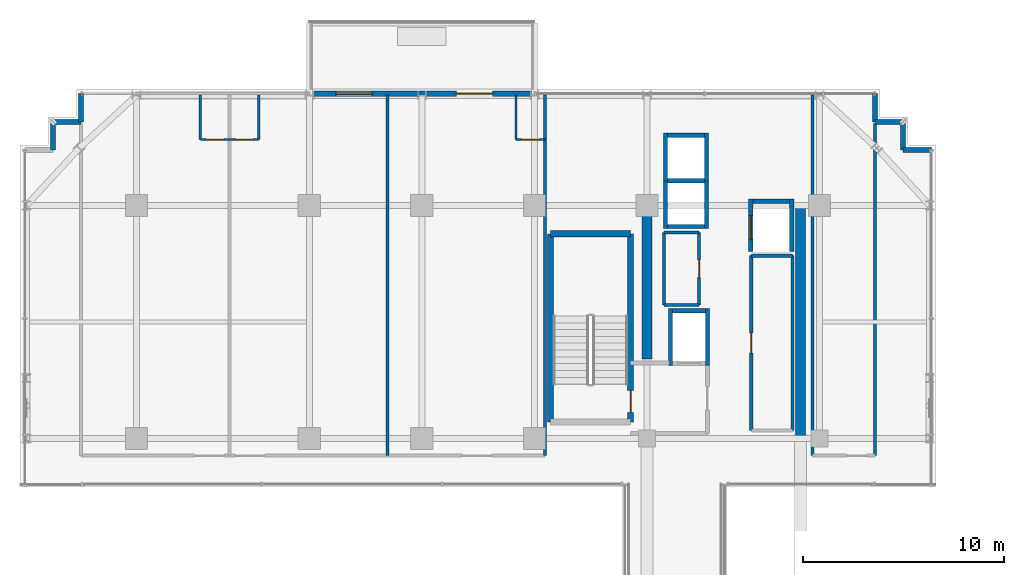
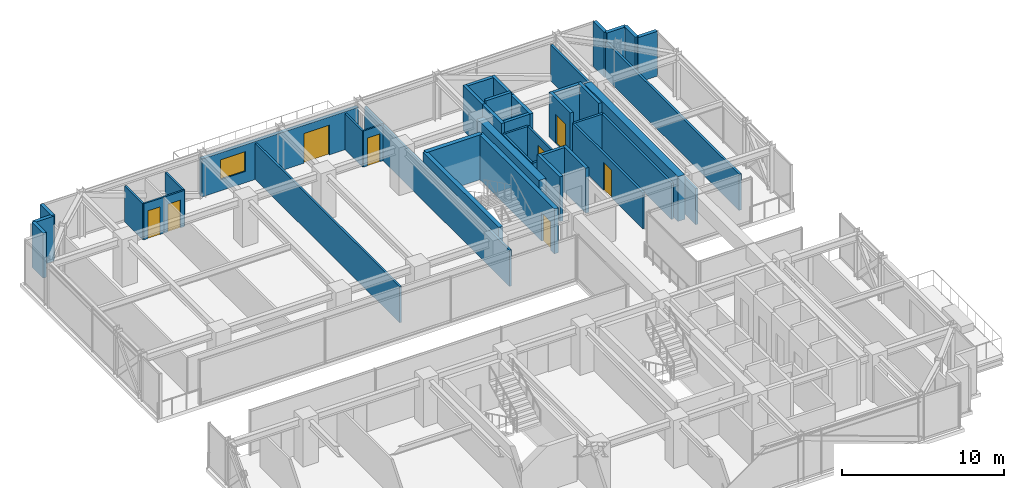
# One storey, part 36 of 41: 43 walls, 8 doors, 1 window, 9 openings.
"""IFC4 building model written with IfcOpenShell, lengths in metres."""

from ifc_helpers import new_model, si_unit, direction, frame, frame_2d, origin, place, context, subcontext, project, spatial, rectangle, extrude, source, transform, mapped, material, layer, layer_set, type_object, element, fill, save


model = new_model("IFC4")

# Units and contexts
model_context = context("Model", 3, precision=1e-05, world=origin(), true_north=direction((0.0, 1.0)))
body_context = subcontext(model_context, "Body", "Model", "MODEL_VIEW")
ifc_project = project(units=[si_unit("LENGTHUNIT", "METRE"), si_unit("AREAUNIT", "SQUARE_METRE"), si_unit("VOLUMEUNIT", "CUBIC_METRE"), si_unit("PLANEANGLEUNIT", "RADIAN"), si_unit("MASSUNIT", "GRAM", prefix="KILO")], contexts=[model_context])

# Site, building, storey
site_placement = place(None, origin())
site = spatial("IfcSite", under=ifc_project, at=site_placement, CompositionType="ELEMENT")
building_placement = place(site_placement, origin())
building = spatial("IfcBuilding", under=site, at=building_placement, Name="Nahalor Promenade Grand Hotel", CompositionType="ELEMENT")
storey_placement = place(building_placement, frame((0.0, 0.0, 159.949951171875)))
storey = spatial("IfcBuildingStorey", under=building, at=storey_placement, Name="L40", CompositionType="ELEMENT", Elevation=159.949951171875)

# Walls
ifc_material_1 = material(Name="Concrete B-60 (C50/60)", Category="concrete")
ifc_layer_1 = layer(ifc_material_1, 0.5)
ifc_layer_set_1 = layer_set([ifc_layer_1], Name="Concrete B-60 (C50/60)")
wall_type_1 = type_object("IfcWallType", Name="Wall-CoreShear-500", PredefinedType="SHEAR", material=ifc_layer_set_1)
shared_shape_1 = source(origin(), body_context, "Body", "SweptSolid", [
    extrude(rectangle(XDim=7.64990234375, YDim=0.5, at=frame_2d((3.824951171875, 0.0))), origin(), (0.0, 0.0, 1.0), 3.39013671875),
])
wall_1_placement = place(storey_placement, frame((8.39990234375, 9.35009765625, 0.0), z_axis=(0.0, 0.0, 1.0), x_axis=(0.0, 1.0, 0.0)))
element("IfcWall", 1, at=wall_1_placement, inside=storey, type_object=wall_type_1, Name="CWALL-L40-NW", PredefinedType="SHEAR", context=body_context, shape_type="MappedRepresentation", body=[
    mapped(shared_shape_1, transform((0.0, 0.0, 0.0), scale=1.0)),
])
shared_shape_2 = source(origin(), body_context, "Body", "SweptSolid", [
    extrude(rectangle(XDim=11.60009765625, YDim=0.5, at=frame_2d((5.800048828125, 0.0))), origin(), (0.0, 0.0, 1.0), 3.39013671875),
])
wall_2_placement = place(storey_placement, frame((16.050048828125, 5.39990234375, 0.0), z_axis=(0.0, 0.0, 1.0), x_axis=(0.0, 1.0, 0.0)))
element("IfcWall", 2, at=wall_2_placement, inside=storey, type_object=wall_type_1, Name="CWALL-L40-NE", PredefinedType="SHEAR", context=body_context, shape_type="MappedRepresentation", body=[
    mapped(shared_shape_2, transform((0.0, 0.0, 0.0), scale=1.0)),
])
ifc_material_2 = material(Name="Concrete B-50 (C40/50)", Category="concrete")
ifc_layer_2 = layer(ifc_material_2, 0.300048828125)
ifc_layer_set_2 = layer_set([ifc_layer_2], Name="Concrete B-50 (C40/50)")
wall_type_2 = type_object("IfcWallType", Name="Wall-ShaftShear-300", PredefinedType="SHEAR", material=ifc_layer_set_2)
shared_shape_3 = source(origin(), body_context, "Body", "SweptSolid", [
    extrude(rectangle(XDim=3.97998046875, YDim=0.300048828125, at=frame_2d((1.989990234375, 0.0))), origin(), (0.0, 0.0, 1.0), 3.39013671875),
])
wall_3_placement = place(storey_placement, frame((3.610107421875, 15.590087890625, 0.0), z_axis=(0.0, 0.0, 1.0), x_axis=(1.0, 0.0, 0.0)))
element("IfcWall", 3, at=wall_3_placement, inside=storey, type_object=wall_type_2, Name="L40 Exit Stair ST1 Shaft Wall N", PredefinedType="SHEAR", context=body_context, shape_type="MappedRepresentation", body=[
    mapped(shared_shape_3, transform((0.0, 0.0, 0.0), scale=1.0)),
])
shared_shape_4 = source(origin(), body_context, "Body", "SweptSolid", [
    extrude(rectangle(XDim=9.380126953125, YDim=0.300048828125, at=frame_2d((4.68994140625, 0.0))), origin(), (0.0, 0.0, 1.0), 3.39013671875),
])
wall_4_placement = place(storey_placement, frame((3.610107421875, 6.2099609375, 0.0), z_axis=(0.0, 0.0, 1.0), x_axis=(0.0, 1.0, 0.0)))
element("IfcWall", 4, at=wall_4_placement, inside=storey, type_object=wall_type_2, Name="L40 Exit Stair ST1 Shaft Wall W", PredefinedType="SHEAR", context=body_context, shape_type="MappedRepresentation", body=[
    mapped(shared_shape_4, transform((0.0, 0.0, 0.0), scale=1.0)),
])

# Wall, opening, door
wall_5_placement = place(storey_placement, frame((7.590087890625, 6.2099609375, 0.0), z_axis=(0.0, 0.0, 1.0), x_axis=(0.0, 1.0, 0.0)))
wall_5 = element("IfcWall", 5, at=wall_5_placement, inside=storey, type_object=wall_type_2, Name="L40 Exit Stair ST1 Shaft Wall E", PredefinedType="SHEAR", context=body_context, shape_type="MappedRepresentation", body=[
    mapped(shared_shape_4, transform((0.0, 0.0, 0.0), scale=1.0)),
])
opening_1_placement = place(wall_5_placement, frame((0.489990234375, 0.0, 0.0)))
opening_1 = element("IfcOpeningElement", 6, at=opening_1_placement, cuts=wall_5, Name="Opening D-ST1", PredefinedType="OPENING", context=body_context, shape_type="SweptSolid", body=[
    extrude(rectangle(XDim=1.10009765625, YDim=2.14990234375, at=frame_2d((0.550048828125, 1.074951171875))), frame((0.0, 0.159912109375, 0.0), z_axis=(0.0, -1.0, 0.0), x_axis=(1.0, 0.0, 0.0)), (0.0, 0.0, 1.0), 0.320068359375),
])
ifc_material_3 = material(Name="Steel S355JR", Category="steel")
door_type_1 = type_object("IfcDoorType", Name="Door-StairFire-1100", OperationType="NOTDEFINED", PredefinedType="DOOR", material=ifc_material_3)
shared_shape_5 = source(origin(), body_context, "Body", "SweptSolid", [
    extrude(rectangle(XDim=1.10009765625, YDim=2.14990234375, at=frame_2d((0.550048828125, 1.074951171875))), frame((0.0, 0.02490234375, 0.0), z_axis=(0.0, -1.0, 0.0), x_axis=(1.0, 0.0, 0.0)), (0.0, 0.0, 1.0), 0.050048828125),
])
door_1_placement = place(opening_1_placement, origin())
door_1 = element("IfcDoor", 7, at=door_1_placement, inside=storey, type_object=door_type_1, Name="DR-STAIR-ST1-L40", OperationType="SINGLE_SWING_LEFT", OverallHeight=2.14990234375, OverallWidth=1.10009765625, PredefinedType="DOOR", context=body_context, shape_type="MappedRepresentation", body=[
    mapped(shared_shape_5, transform((0.0, 0.0, 0.0), scale=1.0)),
])
fill(opening_1, door_1)

# Walls
ifc_layer_3 = layer(ifc_material_2, 0.219970703125)
ifc_layer_set_3 = layer_set([ifc_layer_3], Name="Concrete B-50 (C40/50)")
wall_type_3 = type_object("IfcWallType", Name="Wall-LiftShaft-220", PredefinedType="SHEAR", material=ifc_layer_set_3)
shared_shape_6 = source(origin(), body_context, "Body", "SweptSolid", [
    extrude(rectangle(XDim=1.820068359375, YDim=0.219970703125, at=frame_2d((0.91015625, 0.0))), origin(), (0.0, 0.0, 1.0), 3.650146484375),
])
wall_6_placement = place(storey_placement, frame((9.43994140625, 18.22509765625, 0.0), z_axis=(0.0, 0.0, 1.0), x_axis=(1.0, 0.0, 0.0)))
element("IfcWall", 8, at=wall_6_placement, inside=storey, type_object=wall_type_3, Name="L40 Lift OB1 Hoistway Wall N", PredefinedType="SHEAR", context=body_context, shape_type="MappedRepresentation", body=[
    mapped(shared_shape_6, transform((0.0, 0.0, 0.0), scale=1.0)),
])
shared_shape_7 = source(origin(), body_context, "Body", "SweptSolid", [
    extrude(rectangle(XDim=1.820068359375, YDim=0.219970703125, at=frame_2d((0.91015625, 0.0))), origin(), (0.0, 0.0, 1.0), 3.39013671875),
])
for number, where, z_axis, x_axis, name in (
    (9, (9.43994140625, 15.949951171875, 0.0), (0.0, 0.0, 1.0), (1.0, 0.0, 0.0), "L40 Lift OB1 Hoistway Wall S"),
    (10, (9.43994140625, 20.5, 0.0), (0.0, 0.0, 1.0), (1.0, 0.0, 0.0), "L40 Lift OB2 Hoistway Wall N"),
    (11, (13.68994140625, 17.199951171875, 0.0), (0.0, 0.0, 1.0), (1.0, 0.0, 0.0), "L40 Lift SV1 Hoistway Wall N"),
):
    element("IfcWall", number, at=place(storey_placement, frame(where, z_axis=z_axis, x_axis=x_axis)), inside=storey, type_object=wall_type_3, Name=name, PredefinedType="SHEAR", context=body_context, shape_type="MappedRepresentation", body=[
        mapped(shared_shape_7, transform((0.0, 0.0, 0.0), scale=1.0)),
    ])
shared_shape_8 = source(origin(), body_context, "Body", "SweptSolid", [
    extrude(rectangle(XDim=2.385009765625, YDim=0.219970703125, at=frame_2d((1.1923828125, 0.0))), origin(), (0.0, 0.0, 1.0), 3.39013671875),
])
for number, where, z_axis, x_axis, name in (
    (12, (9.330078125, 15.840087890625, 0.0), (0.0, 0.0, 1.0), (0.0, 1.0, 0.0), "L40 Lift OB1 Hoistway Wall W"),
    (13, (11.3701171875, 15.840087890625, 0.0), (0.0, 0.0, 1.0), (0.0, 1.0, 0.0), "L40 Lift OB1 Hoistway Wall E"),
    (14, (9.330078125, 18.22509765625, 0.0), (0.0, 0.0, 1.0), (0.0, 1.0, 0.0), "L40 Lift OB2 Hoistway Wall W"),
    (15, (11.3701171875, 18.22509765625, 0.0), (0.0, 0.0, 1.0), (0.0, 1.0, 0.0), "L40 Lift OB2 Hoistway Wall E"),
):
    element("IfcWall", number, at=place(storey_placement, frame(where, z_axis=z_axis, x_axis=x_axis)), inside=storey, type_object=wall_type_3, Name=name, PredefinedType="SHEAR", context=body_context, shape_type="MappedRepresentation", body=[
        mapped(shared_shape_8, transform((0.0, 0.0, 0.0), scale=1.0)),
    ])
shared_shape_9 = source(origin(), body_context, "Body", "SweptSolid", [
    extrude(rectangle(XDim=2.820068359375, YDim=0.219970703125, at=frame_2d((1.41015625, 0.0))), origin(), (0.0, 0.0, 1.0), 3.39013671875),
])
for number, where, z_axis, x_axis, name in (
    (16, (9.580078125, 9.0400390625, 0.0), (0.0, 0.0, 1.0), (0.0, 1.0, 0.0), "L40 Lift FL1 Hoistway Wall W"),
    (17, (11.419921875, 9.0400390625, 0.0), (0.0, 0.0, 1.0), (0.0, 1.0, 0.0), "L40 Lift FL1 Hoistway Wall E"),
):
    element("IfcWall", number, at=place(storey_placement, frame(where, z_axis=z_axis, x_axis=x_axis)), inside=storey, type_object=wall_type_3, Name=name, PredefinedType="SHEAR", context=body_context, shape_type="MappedRepresentation", body=[
        mapped(shared_shape_9, transform((0.0, 0.0, 0.0), scale=1.0)),
    ])
shared_shape_10 = source(origin(), body_context, "Body", "SweptSolid", [
    extrude(rectangle(XDim=1.6201171875, YDim=0.219970703125, at=frame_2d((0.81005859375, 0.0))), origin(), (0.0, 0.0, 1.0), 3.39013671875),
])
wall_7_placement = place(storey_placement, frame((9.68994140625, 11.75, 0.0), z_axis=(0.0, 0.0, 1.0), x_axis=(1.0, 0.0, 0.0)))
element("IfcWall", 18, at=wall_7_placement, inside=storey, type_object=wall_type_3, Name="L40 Lift FL1 Hoistway Wall N", PredefinedType="SHEAR", context=body_context, shape_type="MappedRepresentation", body=[
    mapped(shared_shape_10, transform((0.0, 0.0, 0.0), scale=1.0)),
])

# Wall, opening, door
shared_shape_11 = source(origin(), body_context, "Body", "SweptSolid", [
    extrude(rectangle(XDim=2.610107421875, YDim=0.219970703125, at=frame_2d((1.30517578125, 0.0))), origin(), (0.0, 0.0, 1.0), 3.39013671875),
])
wall_8_placement = place(storey_placement, frame((13.580078125, 14.699951171875, 0.0), z_axis=(0.0, 0.0, 1.0), x_axis=(0.0, 1.0, 0.0)))
wall_8 = element("IfcWall", 19, at=wall_8_placement, inside=storey, type_object=wall_type_3, Name="L40 Lift SV1 Hoistway Wall W", PredefinedType="SHEAR", context=body_context, shape_type="MappedRepresentation", body=[
    mapped(shared_shape_11, transform((0.0, 0.0, 0.0), scale=1.0)),
])
opening_2_placement = place(wall_8_placement, frame((0.60009765625, 0.0, 0.0)))
opening_2 = element("IfcOpeningElement", 20, at=opening_2_placement, cuts=wall_8, Name="Opening LD-03", PredefinedType="OPENING", context=body_context, shape_type="SweptSolid", body=[
    extrude(rectangle(XDim=1.199951171875, YDim=2.199951171875, at=frame_2d((0.60009765625, 1.10009765625))), frame((0.0, 0.119873046875, 0.0), z_axis=(0.0, -1.0, 0.0), x_axis=(1.0, 0.0, 0.0)), (0.0, 0.0, 1.0), 0.239990234375),
])
door_type_2 = type_object("IfcDoorType", Name="Door-LiftService-1200", OperationType="DOUBLE_DOOR_SLIDING", PredefinedType="DOOR", material=ifc_material_3)
shared_shape_12 = source(origin(), body_context, "Body", "SweptSolid", [
    extrude(rectangle(XDim=1.199951171875, YDim=2.199951171875, at=frame_2d((0.60009765625, 1.10009765625))), frame((0.0, 0.02490234375, 0.0), z_axis=(0.0, -1.0, 0.0), x_axis=(1.0, 0.0, 0.0)), (0.0, 0.0, 1.0), 0.050048828125),
])
door_2_placement = place(opening_2_placement, origin())
door_2 = element("IfcDoor", 21, at=door_2_placement, inside=storey, type_object=door_type_2, Name="DR-LIFT-SV1-L40", OperationType="DOUBLE_DOOR_SLIDING", OverallHeight=2.199951171875, OverallWidth=1.199951171875, PredefinedType="DOOR", context=body_context, shape_type="MappedRepresentation", body=[
    mapped(shared_shape_12, transform((0.0, 0.0, 0.0), scale=1.0)),
])
fill(opening_2, door_2)

# Walls
wall_9_placement = place(storey_placement, frame((15.6201171875, 14.699951171875, 0.0), z_axis=(0.0, 0.0, 1.0), x_axis=(0.0, 1.0, 0.0)))
element("IfcWall", 22, at=wall_9_placement, inside=storey, type_object=wall_type_3, Name="L40 Lift SV1 Hoistway Wall E", PredefinedType="SHEAR", context=body_context, shape_type="MappedRepresentation", body=[
    mapped(shared_shape_11, transform((0.0, 0.0, 0.0), scale=1.0)),
])
ifc_material_4 = material(Name="Concrete B-40 (C32/40)", Category="concrete")
ifc_layer_4 = layer(ifc_material_4, 0.25)
ifc_layer_set_4 = layer_set([ifc_layer_4], Name="Concrete B-40 (C32/40)")
wall_type_4 = type_object("IfcWallType", Name="Wall-BronzePier-250", PredefinedType="STANDARD", material=ifc_layer_set_4)
shared_shape_13 = source(origin(), body_context, "Body", "SweptSolid", [
    extrude(rectangle(XDim=1.400146484375, YDim=0.25, at=frame_2d((0.7001953125, 0.0))), origin(), (0.0, 0.0, 1.0), 3.39013671875),
])
for number, where, z_axis, x_axis, name in (
    (23, (21.159912109375, 19.760009765625, 0.0), (0.0, 0.0, 1.0), (1.0, 0.0, 0.0), "W-L40-SR-05"),
    (24, (19.760009765625, 21.159912109375, 0.0), (0.0, 0.0, 1.0), (0.0, 1.0, 0.0), "W-L40-SR-08"),
    (25, (-19.760009765625, 21.159912109375, 0.0), (0.0, 0.0, 1.0), (0.0, 1.0, 0.0), "W-L40-SR-09"),
):
    element("IfcWall", number, at=place(storey_placement, frame(where, z_axis=z_axis, x_axis=x_axis)), inside=storey, type_object=wall_type_4, Name=name, PredefinedType="STANDARD", context=body_context, shape_type="MappedRepresentation", body=[
        mapped(shared_shape_13, transform((0.0, 0.0, 0.0), scale=1.0)),
    ])
shared_shape_14 = source(origin(), body_context, "Body", "SweptSolid", [
    extrude(rectangle(XDim=1.39990234375, YDim=0.25, at=frame_2d((0.699951171875, 0.0))), origin(), (0.0, 0.0, 1.0), 3.39013671875),
])
for number, where, z_axis, x_axis, name in (
    (26, (21.159912109375, 19.760009765625, 0.0), (0.0, 0.0, 1.0), (0.0, 1.0, 0.0), "W-L40-SR-06"),
    (27, (19.760009765625, 21.159912109375, 0.0), (0.0, 0.0, 1.0), (1.0, 0.0, 0.0), "W-L40-SR-07"),
    (28, (-21.159912109375, 21.159912109375, 0.0), (0.0, 0.0, 1.0), (1.0, 0.0, 0.0), "W-L40-SR-10"),
    (29, (-21.159912109375, 19.760009765625, 0.0), (0.0, 0.0, 1.0), (0.0, 1.0, 0.0), "W-L40-SR-11"),
):
    element("IfcWall", number, at=place(storey_placement, frame(where, z_axis=z_axis, x_axis=x_axis)), inside=storey, type_object=wall_type_4, Name=name, PredefinedType="STANDARD", context=body_context, shape_type="MappedRepresentation", body=[
        mapped(shared_shape_14, transform((0.0, 0.0, 0.0), scale=1.0)),
    ])

# Wall, openings, door, window
ifc_layer_5 = layer(ifc_material_4, 0.260009765625)
ifc_layer_set_5 = layer_set([ifc_layer_5], Name="Concrete B-40 (C32/40)")
wall_type_5 = type_object("IfcWallType", Name="Wall-BalconyWall-260", PredefinedType="STANDARD", material=ifc_layer_set_5)
shared_shape_15 = source(origin(), body_context, "Body", "SweptSolid", [
    extrude(rectangle(XDim=11.199951171875, YDim=0.260009765625, at=frame_2d((5.60009765625, 0.0))), origin(), (0.0, 0.0, 1.0), 2.8701171875),
])
wall_10_placement = place(storey_placement, frame((-8.39990234375, 22.56005859375, 0.0), z_axis=(0.0, 0.0, 1.0), x_axis=(1.0, 0.0, 0.0)))
wall_10 = element("IfcWall", 30, at=wall_10_placement, inside=storey, type_object=wall_type_5, Name="W-L40-BALC-N-2", PredefinedType="STANDARD", context=body_context, shape_type="MappedRepresentation", body=[
    mapped(shared_shape_15, transform((0.0, 0.0, 0.0), scale=1.0)),
])
opening_3_placement = place(wall_10_placement, frame((7.320068359375, 0.0, 0.0)))
opening_3 = element("IfcOpeningElement", 31, at=opening_3_placement, cuts=wall_10, Name="Opening D-BC1", PredefinedType="OPENING", context=body_context, shape_type="SweptSolid", body=[
    extrude(rectangle(XDim=1.800048828125, YDim=2.25, at=frame_2d((0.89990234375, 1.125))), frame((0.0, 0.139892578125, 0.0), z_axis=(0.0, -1.0, 0.0), x_axis=(1.0, 0.0, 0.0)), (0.0, 0.0, 1.0), 0.280029296875),
])
opening_4_placement = place(wall_10_placement, frame((1.318115234375, 0.0, 0.85009765625)))
opening_4 = element("IfcOpeningElement", 32, at=opening_4_placement, cuts=wall_10, Name="Opening WN-01", PredefinedType="OPENING", context=body_context, shape_type="SweptSolid", body=[
    extrude(rectangle(XDim=1.800048828125, YDim=1.5, at=frame_2d((0.89990234375, 0.75))), frame((0.0, 0.139892578125, 0.0), z_axis=(0.0, -1.0, 0.0), x_axis=(1.0, 0.0, 0.0)), (0.0, 0.0, 1.0), 0.280029296875),
])
ifc_material_5 = material(Name="Anodised Bronze Aluminium EN AW-6063 T6", Category="aluminium")
door_type_3 = type_object("IfcDoorType", Name="Door-BalconySlide-1800", OperationType="DOUBLE_DOOR_SLIDING", PredefinedType="DOOR", material=ifc_material_5)
shared_shape_16 = source(origin(), body_context, "Body", "SweptSolid", [
    extrude(rectangle(XDim=1.800048828125, YDim=2.25, at=frame_2d((0.89990234375, 1.125))), frame((0.0, 0.02490234375, 0.0), z_axis=(0.0, -1.0, 0.0), x_axis=(1.0, 0.0, 0.0)), (0.0, 0.0, 1.0), 0.050048828125),
])
door_3_placement = place(opening_3_placement, origin())
door_3 = element("IfcDoor", 33, at=door_3_placement, inside=storey, type_object=door_type_3, Name="DR-L40-BALC-N-2", OperationType="DOUBLE_DOOR_SLIDING", OverallHeight=2.25, OverallWidth=1.800048828125, PredefinedType="DOOR", context=body_context, shape_type="MappedRepresentation", body=[
    mapped(shared_shape_16, transform((0.0, 0.0, 0.0), scale=1.0)),
])
fill(opening_3, door_3)
ifc_material_6 = material(Name="Low-E Laminated Solar Glass", Category="glass")
window_type = type_object("IfcWindowType", Name="Win-ChicagoBay-1800x1500", PartitioningType="SINGLE_PANEL", PredefinedType="WINDOW", material=ifc_material_6)
shared_shape_17 = source(origin(), body_context, "Body", "SweptSolid", [
    extrude(rectangle(XDim=1.800048828125, YDim=1.5, at=frame_2d((0.89990234375, 0.75))), frame((0.0, 0.030029296875, 0.0), z_axis=(0.0, -1.0, 0.0), x_axis=(1.0, 0.0, 0.0)), (0.0, 0.0, 1.0), 0.06005859375),
])
window_placement = place(opening_4_placement, origin())
window = element("IfcWindow", 34, at=window_placement, inside=storey, type_object=window_type, Name="WN-L40-BALC-N-2-1", OverallHeight=1.5, OverallWidth=1.800048828125, PartitioningType="SINGLE_PANEL", PredefinedType="WINDOW", context=body_context, shape_type="MappedRepresentation", body=[
    mapped(shared_shape_17, transform((0.0, 0.0, 0.0), scale=1.0)),
])
fill(opening_4, window)

# Walls
ifc_material_7 = material(Name="Acoustic Mineral Gypsum", Category="gypsum")
ifc_layer_6 = layer(ifc_material_7, 0.14990234375)
ifc_layer_set_6 = layer_set([ifc_layer_6], Name="Acoustic Mineral Gypsum")
wall_type_6 = type_object("IfcWallType", Name="Wall-PartService-150", PredefinedType="PARTITIONING", material=ifc_layer_set_6)
shared_shape_18 = source(origin(), body_context, "Body", "SweptSolid", [
    extrude(rectangle(XDim=1.75, YDim=0.14990234375, at=frame_2d((0.875, 0.0))), origin(), (0.0, 0.0, 1.0), 2.72998046875),
])
for number, where, z_axis, x_axis, name in (
    (35, (9.25, 12.050048828125, 0.0), (0.0, 0.0, 1.0), (1.0, 0.0, 0.0), "W-L40-CK1A-S"),
    (36, (9.25, 15.64990234375, 0.0), (0.0, 0.0, 1.0), (1.0, 0.0, 0.0), "W-L40-CK1A-N"),
):
    element("IfcWall", number, at=place(storey_placement, frame(where, z_axis=z_axis, x_axis=x_axis)), inside=storey, type_object=wall_type_6, Name=name, PredefinedType="PARTITIONING", context=body_context, shape_type="MappedRepresentation", body=[
        mapped(shared_shape_18, transform((0.0, 0.0, 0.0), scale=1.0)),
    ])
shared_shape_19 = source(origin(), body_context, "Body", "SweptSolid", [
    extrude(rectangle(XDim=3.599853515625, YDim=0.14990234375, at=frame_2d((1.7998046875, 0.0))), origin(), (0.0, 0.0, 1.0), 2.72998046875),
])
wall_11_placement = place(storey_placement, frame((9.25, 12.050048828125, 0.0), z_axis=(0.0, 0.0, 1.0), x_axis=(0.0, 1.0, 0.0)))
element("IfcWall", 37, at=wall_11_placement, inside=storey, type_object=wall_type_6, Name="W-L40-CK1A-W", PredefinedType="PARTITIONING", context=body_context, shape_type="MappedRepresentation", body=[
    mapped(shared_shape_19, transform((0.0, 0.0, 0.0), scale=1.0)),
])

# Wall, opening, door
wall_12_placement = place(storey_placement, frame((11.0, 12.050048828125, 0.0), z_axis=(0.0, 0.0, 1.0), x_axis=(0.0, 1.0, 0.0)))
wall_12 = element("IfcWall", 38, at=wall_12_placement, inside=storey, type_object=wall_type_6, Name="W-L40-CK1A-E", PredefinedType="PARTITIONING", context=body_context, shape_type="MappedRepresentation", body=[
    mapped(shared_shape_19, transform((0.0, 0.0, 0.0), scale=1.0)),
])
opening_5_placement = place(wall_12_placement, frame((1.360107421875, 0.0, 0.0)))
opening_5 = element("IfcOpeningElement", 39, at=opening_5_placement, cuts=wall_12, Name="Opening D-03", PredefinedType="OPENING", context=body_context, shape_type="SweptSolid", body=[
    extrude(rectangle(XDim=0.8798828125, YDim=2.10009765625, at=frame_2d((0.43994140625, 1.050048828125))), frame((0.0, 0.0849609375, 0.0), z_axis=(0.0, -1.0, 0.0), x_axis=(1.0, 0.0, 0.0)), (0.0, 0.0, 1.0), 0.169921875),
])
ifc_material_8 = material(Name="Fire-Rated Timber Composite", Category="wood")
door_type_4 = type_object("IfcDoorType", Name="Door-BathSwing-880", OperationType="NOTDEFINED", PredefinedType="DOOR", material=ifc_material_8)
shared_shape_20 = source(origin(), body_context, "Body", "SweptSolid", [
    extrude(rectangle(XDim=0.8798828125, YDim=2.10009765625, at=frame_2d((0.43994140625, 1.050048828125))), frame((0.0, 0.02490234375, 0.0), z_axis=(0.0, -1.0, 0.0), x_axis=(1.0, 0.0, 0.0)), (0.0, 0.0, 1.0), 0.050048828125),
])
door_4_placement = place(opening_5_placement, origin())
door_4 = element("IfcDoor", 40, at=door_4_placement, inside=storey, type_object=door_type_4, Name="DR-L40-CK1A", OperationType="SINGLE_SWING_RIGHT", OverallHeight=2.10009765625, OverallWidth=0.8798828125, PredefinedType="DOOR", context=body_context, shape_type="MappedRepresentation", body=[
    mapped(shared_shape_20, transform((0.0, 0.0, 0.0), scale=1.0)),
])
fill(opening_5, door_4)

# Wall
ifc_layer_7 = layer(ifc_material_7, 0.159912109375)
ifc_layer_set_7 = layer_set([ifc_layer_7], Name="Acoustic Mineral Gypsum")
wall_type_7 = type_object("IfcWallType", Name="Wall-PartCorridor-160", PredefinedType="PARTITIONING", material=ifc_layer_set_7)
shared_shape_21 = source(origin(), body_context, "Body", "SweptSolid", [
    extrude(rectangle(XDim=2.0498046875, YDim=0.159912109375, at=frame_2d((1.02490234375, 0.0))), origin(), (0.0, 0.0, 1.0), 2.72998046875),
])
wall_13_placement = place(storey_placement, frame((13.60009765625, 14.5, 0.0), z_axis=(0.0, 0.0, 1.0), x_axis=(1.0, 0.0, 0.0)))
element("IfcWall", 41, at=wall_13_placement, inside=storey, type_object=wall_type_7, Name="W-L40-FRB1-N", PredefinedType="PARTITIONING", context=body_context, shape_type="MappedRepresentation", body=[
    mapped(shared_shape_21, transform((0.0, 0.0, 0.0), scale=1.0)),
])

# Wall, opening, door
shared_shape_22 = source(origin(), body_context, "Body", "SweptSolid", [
    extrude(rectangle(XDim=8.699951171875, YDim=0.159912109375, at=frame_2d((4.35009765625, 0.0))), origin(), (0.0, 0.0, 1.0), 2.72998046875),
])
wall_14_placement = place(storey_placement, frame((13.60009765625, 5.800048828125, 0.0), z_axis=(0.0, 0.0, 1.0), x_axis=(0.0, 1.0, 0.0)))
wall_14 = element("IfcWall", 42, at=wall_14_placement, inside=storey, type_object=wall_type_7, Name="W-L40-FRB1-W", PredefinedType="PARTITIONING", context=body_context, shape_type="MappedRepresentation", body=[
    mapped(shared_shape_22, transform((0.0, 0.0, 0.0), scale=1.0)),
])
opening_6_placement = place(wall_14_placement, frame((3.85009765625, 0.0, 0.0)))
opening_6 = element("IfcOpeningElement", 43, at=opening_6_placement, cuts=wall_14, Name="Opening D-04", PredefinedType="OPENING", context=body_context, shape_type="SweptSolid", body=[
    extrude(rectangle(XDim=1.0, YDim=2.10009765625, at=frame_2d((0.5, 1.050048828125))), frame((0.0, 0.08984375, 0.0), z_axis=(0.0, -1.0, 0.0), x_axis=(1.0, 0.0, 0.0)), (0.0, 0.0, 1.0), 0.179931640625),
])
door_type_5 = type_object("IfcDoorType", Name="Door-ServiceFire-1000", OperationType="NOTDEFINED", PredefinedType="DOOR", material=ifc_material_3)
shared_shape_23 = source(origin(), body_context, "Body", "SweptSolid", [
    extrude(rectangle(XDim=1.0, YDim=2.10009765625, at=frame_2d((0.5, 1.050048828125))), frame((0.0, 0.02490234375, 0.0), z_axis=(0.0, -1.0, 0.0), x_axis=(1.0, 0.0, 0.0)), (0.0, 0.0, 1.0), 0.050048828125),
])
door_5_placement = place(opening_6_placement, frame((1.0, 0.0, 0.0), z_axis=(0.0, 0.0, 1.0), x_axis=(-1.0, 0.0, 0.0)))
door_5 = element("IfcDoor", 44, at=door_5_placement, inside=storey, type_object=door_type_5, Name="DR-L40-FRB1", OperationType="SINGLE_SWING_LEFT", OverallHeight=2.10009765625, OverallWidth=1.0, PredefinedType="DOOR", context=body_context, shape_type="MappedRepresentation", body=[
    mapped(shared_shape_23, transform((0.0, 0.0, 0.0), scale=1.0)),
])
fill(opening_6, door_5)

# Walls
wall_15_placement = place(storey_placement, frame((15.64990234375, 5.800048828125, 0.0), z_axis=(0.0, 0.0, 1.0), x_axis=(0.0, 1.0, 0.0)))
element("IfcWall", 45, at=wall_15_placement, inside=storey, type_object=wall_type_7, Name="W-L40-FRB1-E", PredefinedType="PARTITIONING", context=body_context, shape_type="MappedRepresentation", body=[
    mapped(shared_shape_22, transform((0.0, 0.0, 0.0), scale=1.0)),
])
shared_shape_24 = source(origin(), body_context, "Body", "SweptSolid", [
    extrude(rectangle(XDim=17.949951171875, YDim=0.159912109375, at=frame_2d((8.97509765625, 0.0))), origin(), (0.0, 0.0, 1.0), 2.72998046875),
])
wall_16_placement = place(storey_placement, frame((16.64990234375, 4.550048828125, 0.0), z_axis=(0.0, 0.0, 1.0), x_axis=(0.0, 1.0, 0.0)))
element("IfcWall", 46, at=wall_16_placement, inside=storey, type_object=wall_type_7, Name="W-L40-ENE-W", PredefinedType="PARTITIONING", context=body_context, shape_type="MappedRepresentation", body=[
    mapped(shared_shape_24, transform((0.0, 0.0, 0.0), scale=1.0)),
])
shared_shape_25 = source(origin(), body_context, "Body", "SweptSolid", [
    extrude(rectangle(XDim=16.530029296875, YDim=0.159912109375, at=frame_2d((8.26513671875, 0.0))), origin(), (0.0, 0.0, 1.0), 2.72998046875),
])
wall_17_placement = place(storey_placement, frame((19.760009765625, 4.550048828125, 0.0), z_axis=(0.0, 0.0, 1.0), x_axis=(0.0, 1.0, 0.0)))
element("IfcWall", 47, at=wall_17_placement, inside=storey, type_object=wall_type_7, Name="W-L40-ENE-E", PredefinedType="PARTITIONING", context=body_context, shape_type="MappedRepresentation", body=[
    mapped(shared_shape_25, transform((0.0, 0.0, 0.0), scale=1.0)),
])

# Wall, opening, door
ifc_layer_8 = layer(ifc_material_7, 0.1201171875)
ifc_layer_set_8 = layer_set([ifc_layer_8], Name="Acoustic Mineral Gypsum")
wall_type_8 = type_object("IfcWallType", Name="Wall-PartBath-120", PredefinedType="PARTITIONING", material=ifc_layer_set_8)
shared_shape_26 = source(origin(), body_context, "Body", "SweptSolid", [
    extrude(rectangle(XDim=1.449951171875, YDim=0.1201171875, at=frame_2d((0.72509765625, 0.0))), origin(), (0.0, 0.0, 1.0), 2.72998046875),
])
wall_18_placement = place(storey_placement, frame((-12.367919921875, 20.280029296875, 0.0), z_axis=(0.0, 0.0, 1.0), x_axis=(1.0, 0.0, 0.0)))
wall_18 = element("IfcWall", 48, at=wall_18_placement, inside=storey, type_object=wall_type_8, Name="W-L40-N2-BH", PredefinedType="PARTITIONING", context=body_context, shape_type="MappedRepresentation", body=[
    mapped(shared_shape_26, transform((0.0, 0.0, 0.0), scale=1.0)),
])
opening_7_placement = place(wall_18_placement, frame((0.284912109375, 0.0, 0.0)))
opening_7 = element("IfcOpeningElement", 49, at=opening_7_placement, cuts=wall_18, Name="Opening D-03", PredefinedType="OPENING", context=body_context, shape_type="SweptSolid", body=[
    extrude(rectangle(XDim=0.8798828125, YDim=2.10009765625, at=frame_2d((0.43994140625, 1.050048828125))), frame((0.0, 0.070068359375, 0.0), z_axis=(0.0, -1.0, 0.0), x_axis=(1.0, 0.0, 0.0)), (0.0, 0.0, 1.0), 0.14013671875),
])
door_6_placement = place(opening_7_placement, origin())
door_6 = element("IfcDoor", 50, at=door_6_placement, inside=storey, type_object=door_type_4, Name="DR-L40-N2-BATH", OperationType="SINGLE_SWING_LEFT", OverallHeight=2.10009765625, OverallWidth=0.8798828125, PredefinedType="DOOR", context=body_context, shape_type="MappedRepresentation", body=[
    mapped(shared_shape_20, transform((0.0, 0.0, 0.0), scale=1.0)),
])
fill(opening_7, door_6)

# Walls
shared_shape_27 = source(origin(), body_context, "Body", "SweptSolid", [
    extrude(rectangle(XDim=2.219970703125, YDim=0.1201171875, at=frame_2d((1.10986328125, 0.0))), origin(), (0.0, 0.0, 1.0), 2.72998046875),
])
for number, where, z_axis, x_axis, name in (
    (51, (-13.818115234375, 20.280029296875, 0.0), (0.0, 0.0, 1.0), (0.0, 1.0, 0.0), "W-L40-N1-BV"),
    (52, (-10.91796875, 20.280029296875, 0.0), (0.0, 0.0, 1.0), (0.0, 1.0, 0.0), "W-L40-N2-BV"),
    (53, (1.889892578125, 20.280029296875, 0.0), (0.0, 0.0, 1.0), (0.0, 1.0, 0.0), "W-L40-N3-BV"),
):
    element("IfcWall", number, at=place(storey_placement, frame(where, z_axis=z_axis, x_axis=x_axis)), inside=storey, type_object=wall_type_8, Name=name, PredefinedType="PARTITIONING", context=body_context, shape_type="MappedRepresentation", body=[
        mapped(shared_shape_27, transform((0.0, 0.0, 0.0), scale=1.0)),
    ])
ifc_layer_9 = layer(ifc_material_7, 0.139892578125)
ifc_layer_set_9 = layer_set([ifc_layer_9], Name="Acoustic Mineral Gypsum")
wall_type_9 = type_object("IfcWallType", Name="Wall-PartSuite-140", PredefinedType="PARTITIONING", material=ifc_layer_set_9)
shared_shape_28 = source(origin(), body_context, "Body", "SweptSolid", [
    extrude(rectangle(XDim=17.949951171875, YDim=0.139892578125, at=frame_2d((8.97509765625, 0.0))), origin(), (0.0, 0.0, 1.0), 2.72998046875),
])
for number, where, z_axis, x_axis, name in (
    (54, (3.340087890625, 4.550048828125, 0.0), (0.0, 0.0, 1.0), (0.0, 1.0, 0.0), "W-L40-NW-ENDE"),
    (55, (-4.513916015625, 4.550048828125, 0.0), (0.0, 0.0, 1.0), (0.0, 1.0, 0.0), "W-L40-NP-2"),
):
    element("IfcWall", number, at=place(storey_placement, frame(where, z_axis=z_axis, x_axis=x_axis)), inside=storey, type_object=wall_type_9, Name=name, PredefinedType="PARTITIONING", context=body_context, shape_type="MappedRepresentation", body=[
        mapped(shared_shape_28, transform((0.0, 0.0, 0.0), scale=1.0)),
    ])

# Wall, opening, door
shared_shape_29 = source(origin(), body_context, "Body", "SweptSolid", [
    extrude(rectangle(XDim=1.4501953125, YDim=0.1201171875, at=frame_2d((0.72509765625, 0.0))), origin(), (0.0, 0.0, 1.0), 2.72998046875),
])
wall_19_placement = place(storey_placement, frame((-13.818115234375, 20.280029296875, 0.0), z_axis=(0.0, 0.0, 1.0), x_axis=(1.0, 0.0, 0.0)))
wall_19 = element("IfcWall", 56, at=wall_19_placement, inside=storey, type_object=wall_type_8, Name="W-L40-N1-BH", PredefinedType="PARTITIONING", context=body_context, shape_type="MappedRepresentation", body=[
    mapped(shared_shape_29, transform((0.0, 0.0, 0.0), scale=1.0)),
])
opening_8_placement = place(wall_19_placement, frame((0.284912109375, 0.0, 0.0)))
opening_8 = element("IfcOpeningElement", 57, at=opening_8_placement, cuts=wall_19, Name="Opening D-03", PredefinedType="OPENING", context=body_context, shape_type="SweptSolid", body=[
    extrude(rectangle(XDim=0.8798828125, YDim=2.10009765625, at=frame_2d((0.43994140625, 1.050048828125))), frame((0.0, 0.070068359375, 0.0), z_axis=(0.0, -1.0, 0.0), x_axis=(1.0, 0.0, 0.0)), (0.0, 0.0, 1.0), 0.14013671875),
])
door_7_placement = place(opening_8_placement, origin())
door_7 = element("IfcDoor", 58, at=door_7_placement, inside=storey, type_object=door_type_4, Name="DR-L40-N1-BATH", OperationType="SINGLE_SWING_RIGHT", OverallHeight=2.10009765625, OverallWidth=0.8798828125, PredefinedType="DOOR", context=body_context, shape_type="MappedRepresentation", body=[
    mapped(shared_shape_20, transform((0.0, 0.0, 0.0), scale=1.0)),
])
fill(opening_8, door_7)

wall_20_placement = place(storey_placement, frame((1.889892578125, 20.280029296875, 0.0), z_axis=(0.0, 0.0, 1.0), x_axis=(1.0, 0.0, 0.0)))
wall_20 = element("IfcWall", 59, at=wall_20_placement, inside=storey, type_object=wall_type_8, Name="W-L40-N3-BH", PredefinedType="PARTITIONING", context=body_context, shape_type="MappedRepresentation", body=[
    mapped(shared_shape_29, transform((0.0, 0.0, 0.0), scale=1.0)),
])
opening_9_placement = place(wall_20_placement, frame((0.284912109375, 0.0, 0.0)))
opening_9 = element("IfcOpeningElement", 60, at=opening_9_placement, cuts=wall_20, Name="Opening D-03", PredefinedType="OPENING", context=body_context, shape_type="SweptSolid", body=[
    extrude(rectangle(XDim=0.8798828125, YDim=2.10009765625, at=frame_2d((0.43994140625, 1.050048828125))), frame((0.0, 0.070068359375, 0.0), z_axis=(0.0, -1.0, 0.0), x_axis=(1.0, 0.0, 0.0)), (0.0, 0.0, 1.0), 0.14013671875),
])
door_8_placement = place(opening_9_placement, origin())
door_8 = element("IfcDoor", 61, at=door_8_placement, inside=storey, type_object=door_type_4, Name="DR-L40-N3-BATH", OperationType="SINGLE_SWING_RIGHT", OverallHeight=2.10009765625, OverallWidth=0.8798828125, PredefinedType="DOOR", context=body_context, shape_type="MappedRepresentation", body=[
    mapped(shared_shape_20, transform((0.0, 0.0, 0.0), scale=1.0)),
])
fill(opening_9, door_8)

save(model, "model.ifc")
